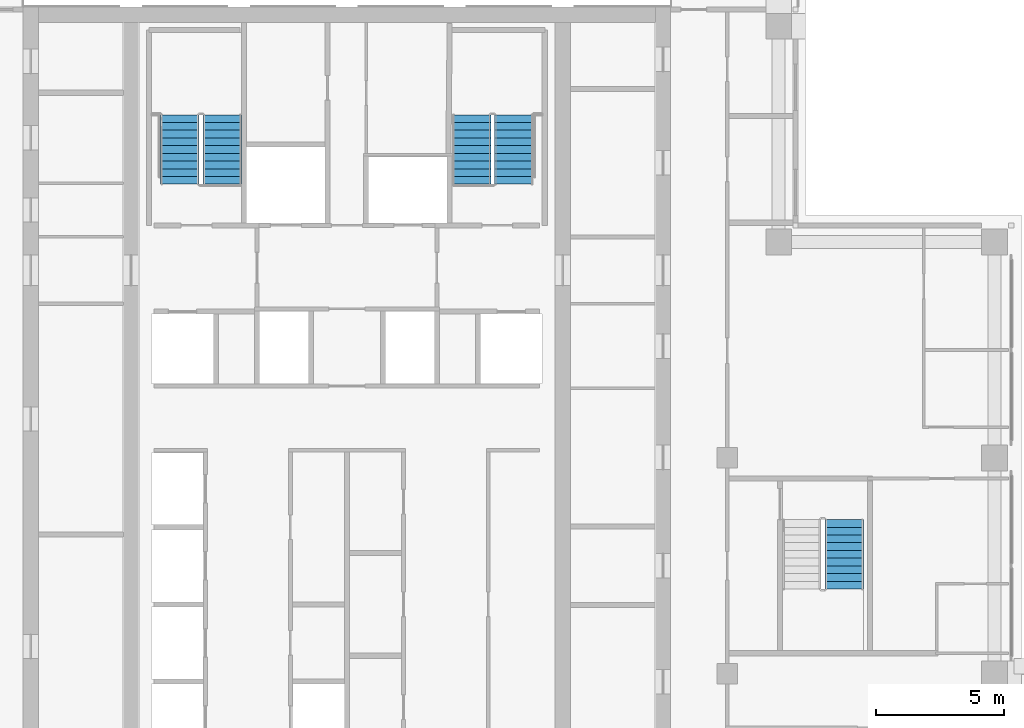
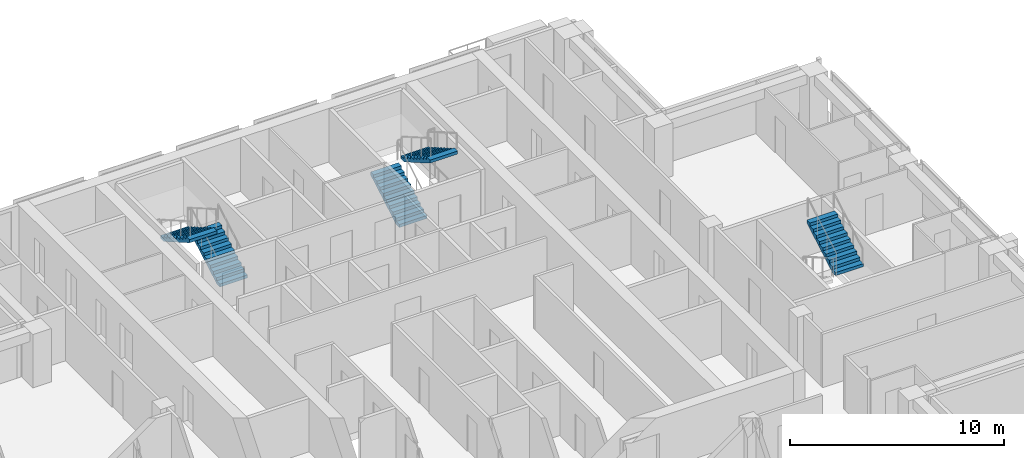
# One storey, part 14 of 17: 5 stair flights, 3 elements without a shape of their own.
"""IFC4 building model written with IfcOpenShell, lengths in metres."""

from ifc_helpers import new_model, si_unit, direction, frame, origin, place, context, subcontext, project, spatial, polyline, outline, extrude, material, type_object, element, aggregate, save


model = new_model("IFC4")

# Units and contexts
model_context = context("Model", 3, precision=1e-05, world=origin(), true_north=direction((0.0, 1.0)))
body_context = subcontext(model_context, "Body", "Model", "MODEL_VIEW")
ifc_project = project(units=[si_unit("LENGTHUNIT", "METRE"), si_unit("AREAUNIT", "SQUARE_METRE"), si_unit("VOLUMEUNIT", "CUBIC_METRE"), si_unit("PLANEANGLEUNIT", "RADIAN"), si_unit("MASSUNIT", "GRAM", prefix="KILO")], contexts=[model_context])

# Site, building, storey
site_placement = place(None, origin())
site = spatial("IfcSite", under=ifc_project, at=site_placement, CompositionType="ELEMENT")
building_placement = place(site_placement, origin())
building = spatial("IfcBuilding", under=site, at=building_placement, Name="Vermilion Ogive Tower", CompositionType="ELEMENT")
storey_placement = place(building_placement, frame((0.0, 0.0, 189.35009765625)))
storey = spatial("IfcBuildingStorey", under=building, at=storey_placement, Name="L49", CompositionType="ELEMENT", Elevation=189.35009765625)

# Stair, stair flights
ifc_material_1 = material(Name="Concrete B40", Category="concrete")
stair_type = type_object("IfcStairType", Name="Exit stair 1500", PredefinedType="HALF_TURN_STAIR", material=ifc_material_1)
stair_1_placement = place(storey_placement, origin())
stair_1 = element("IfcStair", 1, at=stair_1_placement, inside=storey, type_object=stair_type, Name="L49 Exit Stair ST1", PredefinedType="HALF_TURN_STAIR")
ifc_material_2 = material(Name="Concrete B40", Category="concrete")
stair_flight_type = type_object("IfcStairFlightType", Name="Stair flight 1500", PredefinedType="STRAIGHT", material=ifc_material_2)
stair_flight_1_placement = place(storey_placement, frame((-4.85009765625, 14.85009765625, 0.0), z_axis=(0.0, 0.0, 1.0), x_axis=(0.0, 1.0, 0.0)))
stair_flight_1 = element("IfcStairFlight", 2, at=stair_flight_1_placement, type_object=stair_flight_type, Name="ST1 flight 1", NumberOfRisers=10, NumberOfTreads=9, PredefinedType="STRAIGHT", RiserHeight=0.1725, TreadLength=0.3, context=body_context, shape_type="SweptSolid", body=[
    extrude(outline(polyline([(0.0, 0.0), (0.0, 0.172607421875), (0.300048828125, 0.172607421875), (0.300048828125, 0.344970703125), (0.60009765625, 0.344970703125), (0.60009765625, 0.517578125), (0.89990234375, 0.517578125), (0.89990234375, 0.68994140625), (1.199951171875, 0.68994140625), (1.199951171875, 0.862548828125), (1.5, 0.862548828125), (1.5, 1.034912109375), (1.800048828125, 1.034912109375), (1.800048828125, 1.20751953125), (2.10009765625, 1.20751953125), (2.10009765625, 1.3798828125), (2.39990234375, 1.3798828125), (2.39990234375, 1.552490234375), (2.699951171875, 1.552490234375), (2.699951171875, 1.72509765625), (2.699951171875, 1.379638671875), (0.30078125, 0.0), (0.0, 0.0)])), frame((0.0, 0.75, 0.0), z_axis=(0.0, -1.0, 0.0), x_axis=(1.0, 0.0, 0.0)), (0.0, 0.0, 1.0), 1.5),
])
stair_flight_2_placement = place(storey_placement, frame((-6.5, 17.550048828125, 1.724853515625), z_axis=(0.0, 0.0, 1.0), x_axis=(0.0, -1.0, 0.0)))
stair_flight_2 = element("IfcStairFlight", 3, at=stair_flight_2_placement, type_object=stair_flight_type, Name="ST1 flight 2", NumberOfRisers=10, NumberOfTreads=9, PredefinedType="STRAIGHT", RiserHeight=0.1725, TreadLength=0.3, context=body_context, shape_type="SweptSolid", body=[
    extrude(outline(polyline([(0.0, 0.0), (0.0, 0.172607421875), (0.300048828125, 0.172607421875), (0.300048828125, 0.344970703125), (0.60009765625, 0.344970703125), (0.60009765625, 0.517578125), (0.89990234375, 0.517578125), (0.89990234375, 0.68994140625), (1.199951171875, 0.68994140625), (1.199951171875, 0.862548828125), (1.5, 0.862548828125), (1.5, 1.034912109375), (1.800048828125, 1.034912109375), (1.800048828125, 1.20751953125), (2.10009765625, 1.20751953125), (2.10009765625, 1.3798828125), (2.39990234375, 1.3798828125), (2.39990234375, 1.552490234375), (2.699951171875, 1.552490234375), (2.699951171875, 1.72509765625), (2.699951171875, 1.379638671875), (0.30078125, 0.0), (0.0, 0.0)])), frame((0.0, 0.75, 0.0), z_axis=(0.0, -1.0, 0.0), x_axis=(1.0, 0.0, 0.0)), (0.0, 0.0, 1.0), 1.5),
])
aggregate(stair_1, [stair_flight_1, stair_flight_2])

stair_2_placement = place(storey_placement, origin())
stair_2 = element("IfcStair", 4, at=stair_2_placement, inside=storey, type_object=stair_type, Name="L49 Exit Stair ST2", PredefinedType="HALF_TURN_STAIR")
stair_flight_3_placement = place(storey_placement, frame((4.85009765625, 14.85009765625, 0.0), z_axis=(0.0, 0.0, 1.0), x_axis=(0.0, 1.0, 0.0)))
stair_flight_3 = element("IfcStairFlight", 5, at=stair_flight_3_placement, type_object=stair_flight_type, Name="ST2 flight 1", NumberOfRisers=10, NumberOfTreads=9, PredefinedType="STRAIGHT", RiserHeight=0.1725, TreadLength=0.3, context=body_context, shape_type="SweptSolid", body=[
    extrude(outline(polyline([(0.0, 0.0), (0.0, 0.172607421875), (0.300048828125, 0.172607421875), (0.300048828125, 0.344970703125), (0.60009765625, 0.344970703125), (0.60009765625, 0.517578125), (0.89990234375, 0.517578125), (0.89990234375, 0.68994140625), (1.199951171875, 0.68994140625), (1.199951171875, 0.862548828125), (1.5, 0.862548828125), (1.5, 1.034912109375), (1.800048828125, 1.034912109375), (1.800048828125, 1.20751953125), (2.10009765625, 1.20751953125), (2.10009765625, 1.3798828125), (2.39990234375, 1.3798828125), (2.39990234375, 1.552490234375), (2.699951171875, 1.552490234375), (2.699951171875, 1.72509765625), (2.699951171875, 1.379638671875), (0.30078125, 0.0), (0.0, 0.0)])), frame((0.0, 0.75, 0.0), z_axis=(0.0, -1.0, 0.0), x_axis=(1.0, 0.0, 0.0)), (0.0, 0.0, 1.0), 1.5),
])
stair_flight_4_placement = place(storey_placement, frame((6.5, 17.550048828125, 1.724853515625), z_axis=(0.0, 0.0, 1.0), x_axis=(0.0, -1.0, 0.0)))
stair_flight_4 = element("IfcStairFlight", 6, at=stair_flight_4_placement, type_object=stair_flight_type, Name="ST2 flight 2", NumberOfRisers=10, NumberOfTreads=9, PredefinedType="STRAIGHT", RiserHeight=0.1725, TreadLength=0.3, context=body_context, shape_type="SweptSolid", body=[
    extrude(outline(polyline([(0.0, 0.0), (0.0, 0.172607421875), (0.300048828125, 0.172607421875), (0.300048828125, 0.344970703125), (0.60009765625, 0.344970703125), (0.60009765625, 0.517578125), (0.89990234375, 0.517578125), (0.89990234375, 0.68994140625), (1.199951171875, 0.68994140625), (1.199951171875, 0.862548828125), (1.5, 0.862548828125), (1.5, 1.034912109375), (1.800048828125, 1.034912109375), (1.800048828125, 1.20751953125), (2.10009765625, 1.20751953125), (2.10009765625, 1.3798828125), (2.39990234375, 1.3798828125), (2.39990234375, 1.552490234375), (2.699951171875, 1.552490234375), (2.699951171875, 1.72509765625), (2.699951171875, 1.379638671875), (0.30078125, 0.0), (0.0, 0.0)])), frame((0.0, 0.75, 0.0), z_axis=(0.0, -1.0, 0.0), x_axis=(1.0, 0.0, 0.0)), (0.0, 0.0, 1.0), 1.5),
])
aggregate(stair_2, [stair_flight_3, stair_flight_4])

# Stair, stair flight
stair_3_placement = place(storey_placement, origin())
stair_3 = element("IfcStair", 7, at=stair_3_placement, inside=storey, type_object=stair_type, Name="L49 Exit Stair ST8", PredefinedType="HALF_TURN_STAIR")
stair_flight_5_placement = place(storey_placement, frame((19.35009765625, -0.89990234375, 1.724853515625), z_axis=(0.0, 0.0, 1.0), x_axis=(0.0, 1.0, 0.0)))
stair_flight_5 = element("IfcStairFlight", 8, at=stair_flight_5_placement, type_object=stair_flight_type, Name="ST8 flight 2", NumberOfRisers=10, NumberOfTreads=9, PredefinedType="STRAIGHT", RiserHeight=0.1725, TreadLength=0.3, context=body_context, shape_type="SweptSolid", body=[
    extrude(outline(polyline([(0.0, 0.0), (0.0, 0.172607421875), (0.300048828125, 0.172607421875), (0.300048828125, 0.344970703125), (0.60009765625, 0.344970703125), (0.60009765625, 0.517578125), (0.89990234375, 0.517578125), (0.89990234375, 0.68994140625), (1.199951171875, 0.68994140625), (1.199951171875, 0.862548828125), (1.5, 0.862548828125), (1.5, 1.034912109375), (1.800048828125, 1.034912109375), (1.800048828125, 1.20751953125), (2.10009765625, 1.20751953125), (2.10009765625, 1.3798828125), (2.39990234375, 1.3798828125), (2.39990234375, 1.552490234375), (2.699951171875, 1.552490234375), (2.699951171875, 1.72509765625), (2.699951171875, 1.379638671875), (0.30078125, 0.0), (0.0, 0.0)])), frame((0.0, 0.75, 0.0), z_axis=(0.0, -1.0, 0.0), x_axis=(1.0, 0.0, 0.0)), (0.0, 0.0, 1.0), 1.5),
])
aggregate(stair_3, [stair_flight_5])

save(model, "model.ifc")
